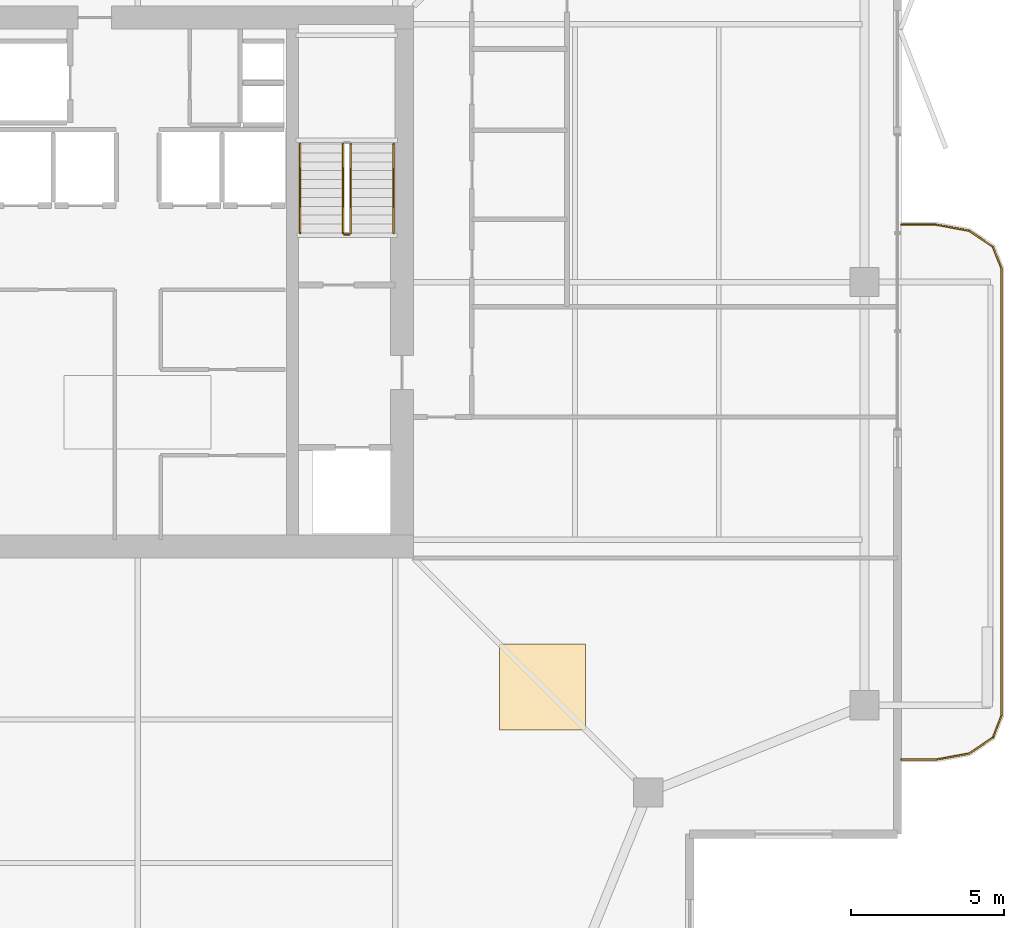
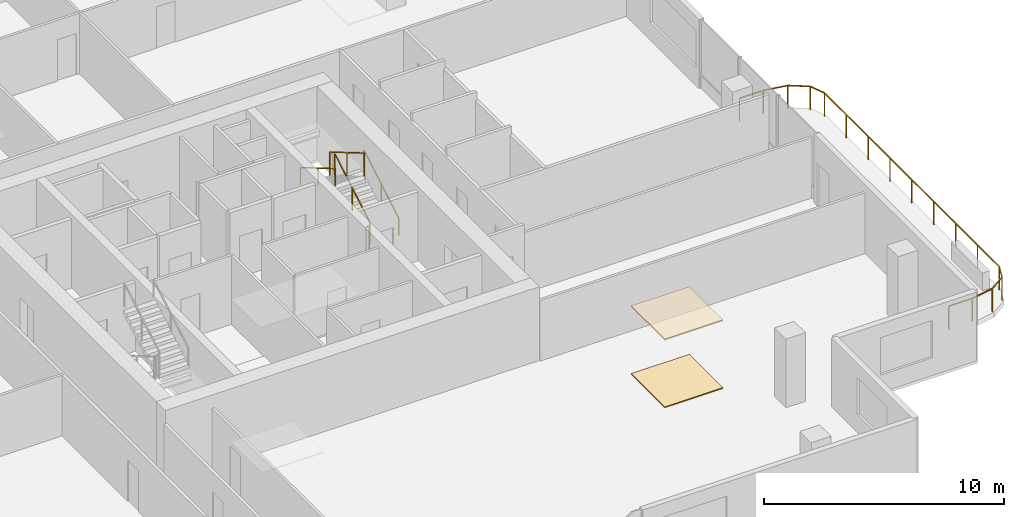
# One storey, part 23 of 25: 6 railings, 2 coverings.
"""IFC4 building model written with IfcOpenShell, lengths in metres."""

from ifc_helpers import new_model, si_unit, direction, frame, origin, origin_2d, place, context, subcontext, project, spatial, polyline, rectangle, outline, extrude, material, layer, layer_set, type_object, element, save


model = new_model("IFC4")

# Units and contexts
model_context = context("Model", 3, precision=1e-05, world=origin(), true_north=direction((0.0, 1.0)))
body_context = subcontext(model_context, "Body", "Model", "MODEL_VIEW")
ifc_project = project(units=[si_unit("LENGTHUNIT", "METRE"), si_unit("AREAUNIT", "SQUARE_METRE"), si_unit("VOLUMEUNIT", "CUBIC_METRE"), si_unit("PLANEANGLEUNIT", "RADIAN"), si_unit("MASSUNIT", "GRAM", prefix="KILO")], contexts=[model_context])

# Site, building, storey
site_placement = place(None, origin())
site = spatial("IfcSite", under=ifc_project, at=site_placement, CompositionType="ELEMENT")
building_placement = place(site_placement, origin())
building = spatial("IfcBuilding", under=site, at=building_placement, Name="Belovzor Exchange Tower", CompositionType="ELEMENT")
storey_placement = place(building_placement, frame((0.0, 0.0, 254.10009765625)))
storey = spatial("IfcBuildingStorey", under=building, at=storey_placement, Name="L63", CompositionType="ELEMENT", Elevation=254.10009765625)

# Railings
ifc_material_1 = material(Name="Stainless Steel Grade 304", Category="steel")
railing_type_1 = type_object("IfcRailingType", Name="Brushed Stainless Steel Stair Handrail 900", PredefinedType="HANDRAIL", material=ifc_material_1)
railing_1_placement = place(storey_placement, frame((37.14990234375, 30.39990234375, 0.17041015625)))
element("IfcRailing", 1, at=railing_1_placement, inside=storey, type_object=railing_type_1, Name="L63 ST-2 stair handrail 1", PredefinedType="HANDRAIL", context=body_context, shape_type="SweptSolid", body=[
    extrude(rectangle(XDim=0.048095703125, YDim=0.048095703125, at=origin_2d()), frame((0.0, 0.0, 0.8759765625), z_axis=(0.0, 0.862113265706, 0.506715617574), x_axis=(-1.0, 0.0, 0.0)), (0.0, 0.0, 1.0), 3.364013671875),
    extrude(rectangle(XDim=0.0419921875, YDim=0.0419921875, at=origin_2d()), origin(), (0.0, 0.0, 1.0), 0.851806640625),
    extrude(rectangle(XDim=0.0419921875, YDim=0.0419921875, at=origin_2d()), frame((0.0, 1.4501953125, 0.852294921875)), (0.0, 0.0, 1.0), 0.851806640625),
    extrude(rectangle(XDim=0.0419921875, YDim=0.0419921875, at=origin_2d()), frame((0.0, 2.900146484375, 1.70458984375)), (0.0, 0.0, 1.0), 0.851806640625),
])
railing_2_placement = place(storey_placement, frame((34.10009765625, 33.300048828125, 2.04541015625)))
element("IfcRailing", 2, at=railing_2_placement, inside=storey, type_object=railing_type_1, Name="L63 ST-2 stair handrail 2", PredefinedType="HANDRAIL", context=body_context, shape_type="SweptSolid", body=[
    extrude(rectangle(XDim=0.048095703125, YDim=0.048095703125, at=origin_2d()), frame((0.0, 0.0, 0.8759765625), z_axis=(0.0, -0.862113265706, 0.506715617574), x_axis=(1.0, 0.0, 0.0)), (0.0, 0.0, 1.0), 3.364013671875),
    extrude(rectangle(XDim=0.0419921875, YDim=0.0419921875, at=origin_2d()), origin(), (0.0, 0.0, 1.0), 0.851806640625),
    extrude(rectangle(XDim=0.0419921875, YDim=0.0419921875, at=origin_2d()), frame((0.0, -1.4501953125, 0.852294921875)), (0.0, 0.0, 1.0), 0.851806640625),
    extrude(rectangle(XDim=0.0419921875, YDim=0.0419921875, at=origin_2d()), frame((0.0, -2.900146484375, 1.70458984375)), (0.0, 0.0, 1.0), 0.851806640625),
])
ifc_material_2 = material(Name="Stainless Steel and Laminated Safety Glass", Category="steel")
railing_type_2 = type_object("IfcRailingType", Name="Laminated Glass & Stainless Steel Balcony Balustrade 1200", PredefinedType="BALUSTRADE", material=ifc_material_2)
railing_3_placement = place(storey_placement, frame((53.7099609375, 13.22998046875, 0.0)))
element("IfcRailing", 3, at=railing_3_placement, inside=storey, type_object=railing_type_2, Name="GR-1 Balcony Balustrade L63 East", PredefinedType="BALUSTRADE", context=body_context, shape_type="SweptSolid", body=[
    extrude(rectangle(XDim=0.048095703125, YDim=0.048095703125, at=origin_2d()), frame((0.0, 0.0, 1.17578125), z_axis=(1.0, 0.0, 0.0), x_axis=(0.0, 1.0, 0.0)), (0.0, 0.0, 1.0), 1.133056640625),
    extrude(rectangle(XDim=0.048095703125, YDim=0.048095703125, at=origin_2d()), frame((1.133056640625, 0.0, 1.17578125), z_axis=(0.983644145941, 0.180122719713, 0.0), x_axis=(-0.180122719713, 0.983644145941, 0.0)), (0.0, 0.0, 1.0), 1.09375),
    extrude(rectangle(XDim=0.048095703125, YDim=0.048095703125, at=origin_2d()), frame((2.208984375, 0.197021484375, 1.17578125), z_axis=(0.826614792125, 0.562768145367, 0.0), x_axis=(-0.562768145367, 0.826614792125, 0.0)), (0.0, 0.0, 1.0), 0.9326171875),
    extrude(rectangle(XDim=0.048095703125, YDim=0.048095703125, at=origin_2d()), frame((2.97998046875, 0.721923828125, 1.17578125), z_axis=(0.365504480807, 0.930809580156, 0.0), x_axis=(-0.930809580156, 0.365504480807, 0.0)), (0.0, 0.0, 1.0), 0.76611328125),
    extrude(rectangle(XDim=0.048095703125, YDim=0.048095703125, at=origin_2d()), frame((3.260009765625, 1.43505859375, 1.17578125), z_axis=(0.0, 1.0, 0.0), x_axis=(-1.0, 0.0, 0.0)), (0.0, 0.0, 1.0), 14.570068359375),
    extrude(rectangle(XDim=0.048095703125, YDim=0.048095703125, at=origin_2d()), frame((3.260009765625, 16.005126953125, 1.17578125), z_axis=(-0.365612923861, 0.930766990125, 0.0), x_axis=(-0.930766990125, -0.365612923861, 0.0)), (0.0, 0.0, 1.0), 0.765869140625),
    extrude(rectangle(XDim=0.048095703125, YDim=0.048095703125, at=origin_2d()), frame((2.97998046875, 16.718017578125, 1.17578125), z_axis=(-0.826614792125, 0.562768145367, 0.0), x_axis=(-0.562768145367, -0.826614792125, 0.0)), (0.0, 0.0, 1.0), 0.9326171875),
    extrude(rectangle(XDim=0.048095703125, YDim=0.048095703125, at=origin_2d()), frame((2.208984375, 17.242919921875, 1.17578125), z_axis=(-0.983644145941, 0.180122719713, 0.0), x_axis=(-0.180122719713, -0.983644145941, 0.0)), (0.0, 0.0, 1.0), 1.09375),
    extrude(rectangle(XDim=0.048095703125, YDim=0.048095703125, at=origin_2d()), frame((1.133056640625, 17.43994140625, 1.17578125), z_axis=(-1.0, 0.0, 0.0), x_axis=(0.0, -1.0, 0.0)), (0.0, 0.0, 1.0), 1.133056640625),
    extrude(rectangle(XDim=0.0419921875, YDim=0.0419921875, at=origin_2d()), origin(), (0.0, 0.0, 1.0), 1.15185546875),
    extrude(rectangle(XDim=0.0419921875, YDim=0.0419921875, at=origin_2d()), frame((1.133056640625, 0.0, 0.0)), (0.0, 0.0, 1.0), 1.15185546875),
    extrude(rectangle(XDim=0.0419921875, YDim=0.0419921875, at=origin_2d()), frame((2.208984375, 0.197021484375, 0.0)), (0.0, 0.0, 1.0), 1.15185546875),
    extrude(rectangle(XDim=0.0419921875, YDim=0.0419921875, at=origin_2d()), frame((2.97998046875, 0.721923828125, 0.0)), (0.0, 0.0, 1.0), 1.15185546875),
    extrude(rectangle(XDim=0.0419921875, YDim=0.0419921875, at=origin_2d()), frame((3.260009765625, 1.43505859375, 0.0)), (0.0, 0.0, 1.0), 1.15185546875),
    extrude(rectangle(XDim=0.0419921875, YDim=0.0419921875, at=origin_2d()), frame((3.260009765625, 3.25634765625, 0.0)), (0.0, 0.0, 1.0), 1.15185546875),
    extrude(rectangle(XDim=0.0419921875, YDim=0.0419921875, at=origin_2d()), frame((3.260009765625, 5.07763671875, 0.0)), (0.0, 0.0, 1.0), 1.15185546875),
    extrude(rectangle(XDim=0.0419921875, YDim=0.0419921875, at=origin_2d()), frame((3.260009765625, 6.89892578125, 0.0)), (0.0, 0.0, 1.0), 1.15185546875),
    extrude(rectangle(XDim=0.0419921875, YDim=0.0419921875, at=origin_2d()), frame((3.260009765625, 8.72021484375, 0.0)), (0.0, 0.0, 1.0), 1.15185546875),
    extrude(rectangle(XDim=0.0419921875, YDim=0.0419921875, at=origin_2d()), frame((3.260009765625, 10.541259765625, 0.0)), (0.0, 0.0, 1.0), 1.15185546875),
    extrude(rectangle(XDim=0.0419921875, YDim=0.0419921875, at=origin_2d()), frame((3.260009765625, 12.362548828125, 0.0)), (0.0, 0.0, 1.0), 1.15185546875),
    extrude(rectangle(XDim=0.0419921875, YDim=0.0419921875, at=origin_2d()), frame((3.260009765625, 14.183837890625, 0.0)), (0.0, 0.0, 1.0), 1.15185546875),
    extrude(rectangle(XDim=0.0419921875, YDim=0.0419921875, at=origin_2d()), frame((3.260009765625, 16.005126953125, 0.0)), (0.0, 0.0, 1.0), 1.15185546875),
    extrude(rectangle(XDim=0.0419921875, YDim=0.0419921875, at=origin_2d()), frame((2.97998046875, 16.718017578125, 0.0)), (0.0, 0.0, 1.0), 1.15185546875),
    extrude(rectangle(XDim=0.0419921875, YDim=0.0419921875, at=origin_2d()), frame((2.208984375, 17.242919921875, 0.0)), (0.0, 0.0, 1.0), 1.15185546875),
    extrude(rectangle(XDim=0.0419921875, YDim=0.0419921875, at=origin_2d()), frame((1.133056640625, 17.43994140625, 0.0)), (0.0, 0.0, 1.0), 1.15185546875),
    extrude(rectangle(XDim=0.0419921875, YDim=0.0419921875, at=origin_2d()), frame((0.0, 17.43994140625, 0.0)), (0.0, 0.0, 1.0), 1.15185546875),
])
ifc_material_3 = material(Name="Steel S355", Category="steel")
railing_type_3 = type_object("IfcRailingType", Name="Painted Steel Stairwell Guardrail 1200", PredefinedType="GUARDRAIL", material=ifc_material_3)
railing_4_placement = place(storey_placement, frame((35.75, 30.39990234375, 0.17041015625)))
element("IfcRailing", 4, at=railing_4_placement, inside=storey, type_object=railing_type_3, Name="L63 ST-2 stair guard 1", PredefinedType="GUARDRAIL", context=body_context, shape_type="SweptSolid", body=[
    extrude(rectangle(XDim=0.048095703125, YDim=0.048095703125, at=origin_2d()), frame((0.0, 0.0, 1.17578125), z_axis=(0.0, 0.862113265706, 0.506715617574), x_axis=(-1.0, 0.0, 0.0)), (0.0, 0.0, 1.0), 3.364013671875),
    extrude(rectangle(XDim=0.0419921875, YDim=0.0419921875, at=origin_2d()), origin(), (0.0, 0.0, 1.0), 1.15185546875),
    extrude(rectangle(XDim=0.0419921875, YDim=0.0419921875, at=origin_2d()), frame((0.0, 1.4501953125, 0.852294921875)), (0.0, 0.0, 1.0), 1.15185546875),
    extrude(rectangle(XDim=0.0419921875, YDim=0.0419921875, at=origin_2d()), frame((0.0, 2.900146484375, 1.70458984375)), (0.0, 0.0, 1.0), 1.15185546875),
])
railing_5_placement = place(storey_placement, frame((35.5, 33.300048828125, 2.04541015625)))
element("IfcRailing", 5, at=railing_5_placement, inside=storey, type_object=railing_type_3, Name="L63 ST-2 stair guard 3", PredefinedType="GUARDRAIL", context=body_context, shape_type="SweptSolid", body=[
    extrude(rectangle(XDim=0.048095703125, YDim=0.048095703125, at=origin_2d()), frame((0.0, 0.0, 1.17578125), z_axis=(0.0, -0.862113265706, 0.506715617574), x_axis=(1.0, 0.0, 0.0)), (0.0, 0.0, 1.0), 3.364013671875),
    extrude(rectangle(XDim=0.0419921875, YDim=0.0419921875, at=origin_2d()), origin(), (0.0, 0.0, 1.0), 1.15185546875),
    extrude(rectangle(XDim=0.0419921875, YDim=0.0419921875, at=origin_2d()), frame((0.0, -1.4501953125, 0.852294921875)), (0.0, 0.0, 1.0), 1.15185546875),
    extrude(rectangle(XDim=0.0419921875, YDim=0.0419921875, at=origin_2d()), frame((0.0, -2.900146484375, 1.70458984375)), (0.0, 0.0, 1.0), 1.15185546875),
])
railing_6_placement = place(storey_placement, frame((35.699951171875, 30.35009765625, 0.0)))
element("IfcRailing", 6, at=railing_6_placement, inside=storey, type_object=railing_type_3, Name="L63 ST-2 stair guard 4", PredefinedType="GUARDRAIL", context=body_context, shape_type="SweptSolid", body=[
    extrude(rectangle(XDim=0.048095703125, YDim=0.048095703125, at=origin_2d()), frame((0.0, 0.0, 1.17578125), z_axis=(-1.0, 0.0, 0.0), x_axis=(0.0, -1.0, 0.0)), (0.0, 0.0, 1.0), 0.14990234375),
    extrude(rectangle(XDim=0.0419921875, YDim=0.0419921875, at=origin_2d()), origin(), (0.0, 0.0, 1.0), 1.15185546875),
    extrude(rectangle(XDim=0.0419921875, YDim=0.0419921875, at=origin_2d()), frame((-0.14990234375, 0.0, 0.0)), (0.0, 0.0, 1.0), 1.15185546875),
])

# Coverings
ifc_material_4 = material(Name="Perforated Powder-Coated Aluminium", Category="aluminium")
ifc_layer_1 = layer(ifc_material_4, 0.06005859375)
ifc_layer_set_1 = layer_set([ifc_layer_1], Name="Perforated Powder-Coated Aluminium")
covering_type_1 = type_object("IfcCoveringType", Name="Perforated Acoustic Metal Tile Suspended Ceiling 60", PredefinedType="CEILING", material=ifc_layer_set_1)
covering_1_placement = place(storey_placement, frame((0.0, 0.0, 3.43994140625)))
element("IfcCovering", 7, at=covering_1_placement, inside=storey, type_object=covering_type_1, Name="CLG-AC60 Suspended Ceiling CLG-L63-Z1", PredefinedType="CEILING", context=body_context, shape_type="SweptSolid", body=[
    extrude(outline(polyline([(40.60009765625, 14.199951171875), (43.39990234375, 14.199951171875), (43.39990234375, 17.0), (40.60009765625, 17.0), (40.60009765625, 14.199951171875)])), origin(), (0.0, 0.0, 1.0), 0.06005859375),
])
ifc_material_5 = material(Name="Polished Natural Granite Tile", Category="masonry")
ifc_layer_2 = layer(ifc_material_5, 0.050048828125)
ifc_layer_set_2 = layer_set([ifc_layer_2], Name="Polished Natural Granite Tile")
covering_type_2 = type_object("IfcCoveringType", Name="Polished Karelian Granite & Raised Access Floor Finish 50", PredefinedType="FLOORING", material=ifc_layer_set_2)
covering_2_placement = place(storey_placement, origin())
element("IfcCovering", 8, at=covering_2_placement, inside=storey, type_object=covering_type_2, Name="FLR-GR50 Floor Finish FLR-L63-Z1", PredefinedType="FLOORING", context=body_context, shape_type="SweptSolid", body=[
    extrude(outline(polyline([(40.60009765625, 14.199951171875), (43.39990234375, 14.199951171875), (43.39990234375, 17.0), (40.60009765625, 17.0), (40.60009765625, 14.199951171875)])), origin(), (0.0, 0.0, 1.0), 0.0498046875),
])

save(model, "model.ifc")
